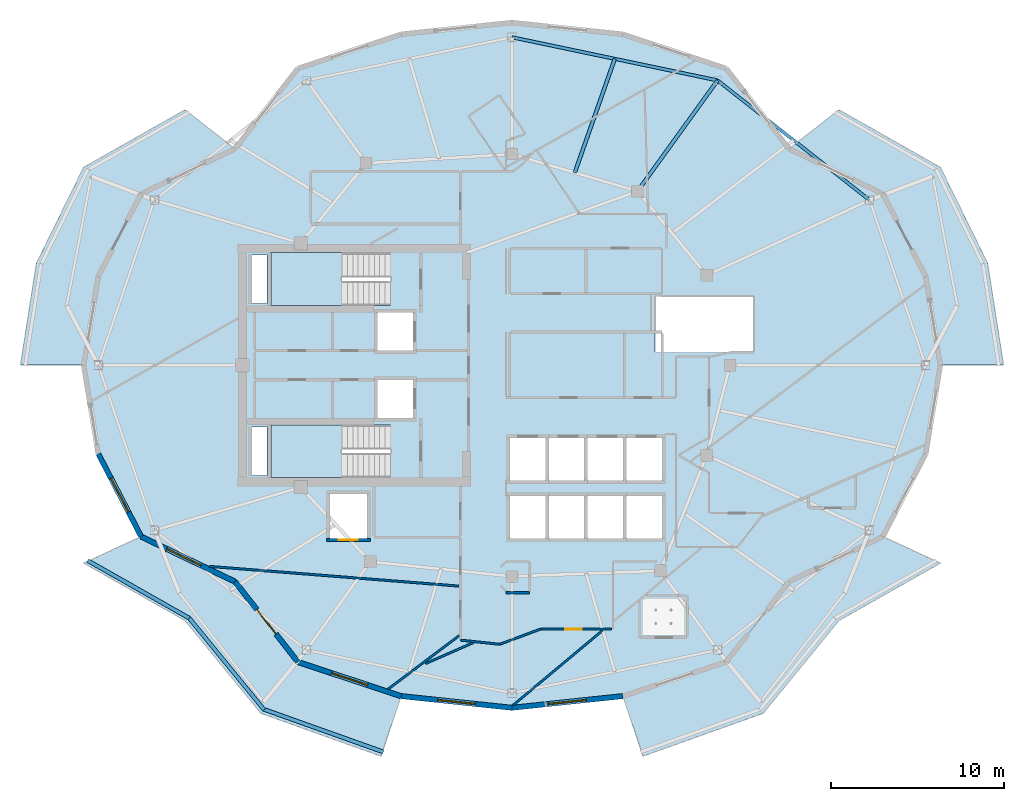
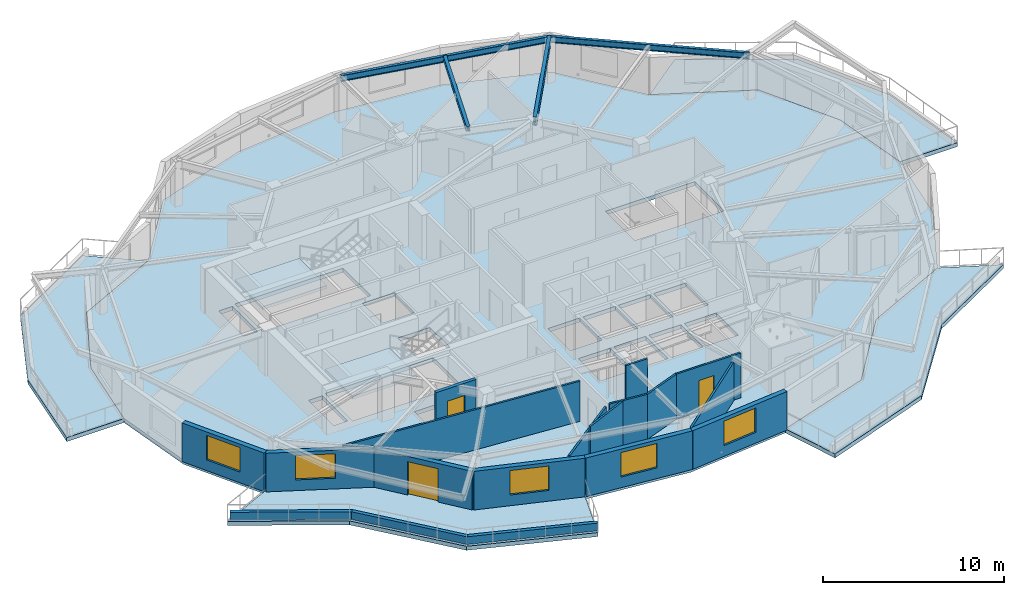
# One storey, part 2 of 13: 18 walls, 7 slabs, 5 windows, 4 beams, 3 doors, 8 openings, 2 elements without a shape of their own.
"""IFC4 building model written with IfcOpenShell, lengths in metres."""

from ifc_helpers import new_model, si_unit, direction, frame, frame_2d, origin, origin_2d, place, context, subcontext, project, spatial, polyline, rectangle, i_section, outline, extrude, material, layer, layer_set, material_profile, profile_set, type_object, element, fill, aggregate, save


model = new_model("IFC4")

# Units and contexts
model_context = context("Model", 3, precision=1e-05, world=origin(), true_north=direction((0.0, 1.0)))
body_context = subcontext(model_context, "Body", "Model", "MODEL_VIEW")
ifc_project = project(units=[si_unit("LENGTHUNIT", "METRE"), si_unit("AREAUNIT", "SQUARE_METRE"), si_unit("VOLUMEUNIT", "CUBIC_METRE"), si_unit("PLANEANGLEUNIT", "RADIAN"), si_unit("MASSUNIT", "GRAM", prefix="KILO")], contexts=[model_context])

# Site, building, storey
site_placement = place(None, origin())
site = spatial("IfcSite", under=ifc_project, at=site_placement, CompositionType="ELEMENT")
building_placement = place(site_placement, origin())
building = spatial("IfcBuilding", under=site, at=building_placement, Name="Kolvaren Gate Tower and Convention Centre", CompositionType="ELEMENT")
storey_placement = place(building_placement, frame((0.0, 0.0, 196.39990234375)))
storey = spatial("IfcBuildingStorey", under=building, at=storey_placement, Name="L51", CompositionType="ELEMENT", Elevation=196.39990234375)

# Beams
ifc_material_1 = material(Name="Structural steel ASTM A992 Grade 345 MPa", Category="steel")
ifc_material_profile_1 = material_profile(ifc_material_1, i_section(OverallWidth=0.2119140625, OverallDepth=0.5439453125, WebThickness=0.01318359375, FlangeThickness=0.021240234375, at=origin_2d()), Name="W530X123")
ifc_profile_set_1 = profile_set([ifc_material_profile_1], Name="Structural steel ASTM A992 Grade 345 MPa")
beam_type_1 = type_object("IfcBeamType", Name="STR-BM-W530X123", PredefinedType="BEAM", material=ifc_profile_set_1)
beam_1_placement = place(storey_placement, frame((37.381591796875, 37.054931640625, 2.758056640625), z_axis=(0.585211694794, 0.810880553643, 0.0), x_axis=(-0.810880553643, 0.585211694794, 0.0)))
element("IfcBeam", 1, at=beam_1_placement, inside=storey, type_object=beam_type_1, Name="Tower L51 Radial Floor Girder RB-03", PredefinedType="BEAM", context=body_context, shape_type="SweptSolid", body=[
    extrude(i_section(OverallWidth=0.2119140625, OverallDepth=0.5439453125, WebThickness=0.01318359375, FlangeThickness=0.021240234375, at=origin_2d()), origin(), (0.0, 0.0, 1.0), 7.896484375),
])
ifc_material_profile_2 = material_profile(ifc_material_1, i_section(OverallWidth=0.205078125, OverallDepth=0.31005859375, WebThickness=0.009521484375, FlangeThickness=0.016357421875, at=origin_2d()), Name="W310X74")
ifc_profile_set_2 = profile_set([ifc_material_profile_2], Name="Structural steel ASTM A992 Grade 345 MPa")
beam_type_2 = type_object("IfcBeamType", Name="STR-JS-W310X74", PredefinedType="JOIST", material=ifc_profile_set_2)
beam_2_placement = place(storey_placement, frame((33.75341796875, 38.12744140625, 2.875), z_axis=(0.331432911821, 0.943478788824, 0.0), x_axis=(-0.943478788824, 0.331432911821, 0.0)))
element("IfcBeam", 2, at=beam_2_placement, inside=storey, type_object=beam_type_2, Name="Tower L51 Secondary Composite Floor Joist J-03.1", PredefinedType="JOIST", context=body_context, shape_type="SweptSolid", body=[
    extrude(i_section(OverallWidth=0.205078125, OverallDepth=0.31005859375, WebThickness=0.009521484375, FlangeThickness=0.016357421875, at=origin_2d()), origin(), (0.0, 0.0, 1.0), 6.970703125),
])
ifc_material_profile_3 = material_profile(ifc_material_1, i_section(OverallWidth=0.180908203125, OverallDepth=0.4169921875, WebThickness=0.010986328125, FlangeThickness=0.018310546875, at=origin_2d()), Name="W410X85")
ifc_profile_set_3 = profile_set([ifc_material_profile_3], Name="Structural steel ASTM A992 Grade 345 MPa")
beam_type_3 = type_object("IfcBeamType", Name="STR-SP-W410X85", PredefinedType="SPANDREL", material=ifc_profile_set_3)
beam_3_placement = place(storey_placement, frame((50.787353515625, 36.543701171875, 2.821533203125), z_axis=(-0.78579365551, 0.618488747643, 0.0), x_axis=(-0.618488747643, -0.78579365551, 0.0)))
element("IfcBeam", 3, at=beam_3_placement, inside=storey, type_object=beam_type_3, Name="Tower L51 Perimeter Spandrel Beam SP-02", PredefinedType="SPANDREL", context=body_context, shape_type="SweptSolid", body=[
    extrude(i_section(OverallWidth=0.180908203125, OverallDepth=0.4169921875, WebThickness=0.010986328125, FlangeThickness=0.018310546875, at=origin_2d()), origin(), (0.0, 0.0, 1.0), 11.179443359375),
])
beam_4_placement = place(storey_placement, frame((42.002685546875, 43.4580078125, 2.821533203125), z_axis=(-0.978692765917, 0.205330148645, 0.0), x_axis=(-0.205330148645, -0.978692765917, 0.0)))
element("IfcBeam", 4, at=beam_4_placement, inside=storey, type_object=beam_type_3, Name="Tower L51 Perimeter Spandrel Beam SP-03", PredefinedType="SPANDREL", context=body_context, shape_type="SweptSolid", body=[
    extrude(i_section(OverallWidth=0.180908203125, OverallDepth=0.4169921875, WebThickness=0.010986328125, FlangeThickness=0.018310546875, at=origin_2d()), origin(), (0.0, 0.0, 1.0), 12.13623046875),
])

# Slabs
ifc_material_2 = material(Name="Concrete C50/60", Category="concrete")
ifc_layer_1 = layer(ifc_material_2, 0.27001953125)
ifc_layer_set_1 = layer_set([ifc_layer_1], Name="Concrete C50/60")
slab_type_1 = type_object("IfcSlabType", Name="STR-SL-BALC-270", PredefinedType="FLOOR", material=ifc_layer_set_1)
slab_1_placement = place(storey_placement, frame((0.0, 0.0, -0.27001953125)))
element("IfcSlab", 5, at=slab_1_placement, inside=storey, type_object=slab_type_1, Name="Tower L51 Planted Balcony Terrace Slab 1 (East)", PredefinedType="FLOOR", context=body_context, shape_type="SweptSolid", body=[
    extrude(outline(polyline([(54.875, 27.0), (54.03173828125, 32.12451171875), (51.55908203125, 36.89990234375), (46.132568359375, 39.50732421875), (49.0166015625, 41.7607421875), (54.8818359375, 38.434814453125), (57.6103515625, 32.8916015625), (58.534912109375, 27.0), (54.875, 27.0)])), origin(), (0.0, 0.0, 1.0), 0.27001953125),
])
slab_2_placement = place(storey_placement, frame((0.0, 0.0, -0.27001953125)))
element("IfcSlab", 6, at=slab_2_placement, inside=storey, type_object=slab_type_1, Name="Tower L51 Planted Balcony Terrace Slab 2 (West)", PredefinedType="FLOOR", context=body_context, shape_type="SweptSolid", body=[
    extrude(outline(polyline([(14.117431640625, 39.50732421875), (8.69091796875, 36.89990234375), (6.21826171875, 32.12451171875), (5.375, 27.0), (1.715087890625, 27.0), (2.6396484375, 32.8916015625), (5.3681640625, 38.434814453125), (11.2333984375, 41.7607421875), (14.117431640625, 39.50732421875)])), origin(), (0.0, 0.0, 1.0), 0.27001953125),
])
slab_3_placement = place(storey_placement, frame((0.0, 0.0, -0.27001953125)))
element("IfcSlab", 7, at=slab_3_placement, inside=storey, type_object=slab_type_1, Name="Tower L51 Planted Balcony Terrace Slab 3 (South)", PredefinedType="FLOOR", context=body_context, shape_type="SweptSolid", body=[
    extrude(outline(polyline([(8.69091796875, 17.10009765625), (14.117431640625, 14.49267578125), (17.75, 9.852783203125), (23.71923828125, 7.874755859375), (22.556884765625, 4.404296875), (15.608154296875, 6.885009765625), (11.2333984375, 12.2392578125), (5.3681640625, 15.565185546875), (8.69091796875, 17.10009765625)])), origin(), (0.0, 0.0, 1.0), 0.27001953125),
])
slab_4_placement = place(storey_placement, frame((0.0, 0.0, -0.27001953125)))
element("IfcSlab", 8, at=slab_4_placement, inside=storey, type_object=slab_type_1, Name="Tower L51 Planted Balcony Terrace Slab 4 (South)", PredefinedType="FLOOR", context=body_context, shape_type="SweptSolid", body=[
    extrude(outline(polyline([(36.53076171875, 7.874755859375), (42.5, 9.852783203125), (46.132568359375, 14.49267578125), (51.55908203125, 17.10009765625), (54.8818359375, 15.565185546875), (49.0166015625, 12.2392578125), (44.641845703125, 6.885009765625), (37.693115234375, 4.404296875), (36.53076171875, 7.874755859375)])), origin(), (0.0, 0.0, 1.0), 0.27001953125),
])
ifc_material_3 = material(Name="Concrete C40/50", Category="concrete")
ifc_layer_2 = layer(ifc_material_3, 0.27001953125)
ifc_layer_set_2 = layer_set([ifc_layer_2], Name="Concrete C40/50")
slab_type_2 = type_object("IfcSlabType", Name="STR-SL-FLR-270", PredefinedType="FLOOR", material=ifc_layer_set_2)
slab_5_placement = place(storey_placement, frame((0.0, 0.0, -0.27001953125)))
element("IfcSlab", 9, at=slab_5_placement, inside=storey, type_object=slab_type_2, Name="Tower L51 Structural Floor Slab", PredefinedType="FLOOR", context=body_context, shape_type="SweptSolid", body=[
    extrude(outline(polyline([(54.875, 27.0), (54.03173828125, 32.12451171875), (51.55908203125, 36.89990234375), (46.132568359375, 39.50732421875), (42.5, 44.147216796875), (36.53076171875, 46.125244140625), (30.125, 46.800048828125), (23.71923828125, 46.125244140625), (17.75, 44.147216796875), (14.117431640625, 39.50732421875), (8.69091796875, 36.89990234375), (6.21826171875, 32.12451171875), (5.375, 27.0), (6.21826171875, 21.87548828125), (8.69091796875, 17.10009765625), (14.117431640625, 14.49267578125), (17.75, 9.852783203125), (23.71923828125, 7.874755859375), (30.125, 7.199951171875), (36.53076171875, 7.874755859375), (42.5, 9.852783203125), (46.132568359375, 14.49267578125), (51.55908203125, 17.10009765625), (54.03173828125, 21.87548828125), (54.875, 27.0)]), holes=[polyline([(38.39990234375, 27.75), (38.39990234375, 31.0), (44.10009765625, 31.0), (44.10009765625, 27.75), (38.39990234375, 27.75)]), polyline([(36.75, 17.0), (36.75, 19.449951171875), (38.800048828125, 19.449951171875), (38.800048828125, 17.0), (36.75, 17.0)]), polyline([(36.75, 20.35009765625), (36.75, 22.800048828125), (38.800048828125, 22.800048828125), (38.800048828125, 20.35009765625), (36.75, 20.35009765625)]), polyline([(34.5, 17.0), (34.5, 19.449951171875), (36.550048828125, 19.449951171875), (36.550048828125, 17.0), (34.5, 17.0)]), polyline([(34.5, 20.35009765625), (34.5, 22.800048828125), (36.550048828125, 22.800048828125), (36.550048828125, 20.35009765625), (34.5, 20.35009765625)]), polyline([(32.25, 17.0), (32.25, 19.449951171875), (34.300048828125, 19.449951171875), (34.300048828125, 17.0), (32.25, 17.0)]), polyline([(32.25, 20.35009765625), (32.25, 22.800048828125), (34.300048828125, 22.800048828125), (34.300048828125, 20.35009765625), (32.25, 20.35009765625)]), polyline([(30.0, 17.0), (30.0, 19.449951171875), (32.050048828125, 19.449951171875), (32.050048828125, 17.0), (30.0, 17.0)]), polyline([(30.0, 20.35009765625), (30.0, 22.800048828125), (32.050048828125, 22.800048828125), (32.050048828125, 20.35009765625), (30.0, 20.35009765625)]), polyline([(22.35009765625, 23.9599609375), (22.35009765625, 26.159912109375), (24.39990234375, 26.159912109375), (24.39990234375, 23.9599609375), (22.35009765625, 23.9599609375)]), polyline([(22.35009765625, 27.840087890625), (22.35009765625, 30.0400390625), (24.39990234375, 30.0400390625), (24.39990234375, 27.840087890625), (22.35009765625, 27.840087890625)]), polyline([(23.10009765625, 23.5400390625), (23.10009765625, 20.5), (16.199951171875, 20.5), (16.199951171875, 23.5400390625), (23.10009765625, 23.5400390625)]), polyline([(23.10009765625, 33.5), (23.10009765625, 30.4599609375), (16.199951171875, 30.4599609375), (16.199951171875, 33.5), (23.10009765625, 33.5)]), polyline([(19.60009765625, 17.0), (19.60009765625, 19.550048828125), (21.75, 19.550048828125), (21.75, 17.0), (19.60009765625, 17.0)]), polyline([(15.080078125, 20.6298828125), (15.080078125, 23.419921875), (15.969970703125, 23.419921875), (15.969970703125, 20.6298828125), (15.080078125, 20.6298828125)]), polyline([(15.080078125, 30.580078125), (15.080078125, 33.3701171875), (15.969970703125, 33.3701171875), (15.969970703125, 30.580078125), (15.080078125, 30.580078125)])]), origin(), (0.0, 0.0, 1.0), 0.27001953125),
])

# Stair, slab
stair_type = type_object("IfcStairType", Name="STR-STAIR-CORE", PredefinedType="HALF_TURN_STAIR", material=ifc_material_2)
stair_1_placement = place(storey_placement, origin())
stair_1 = element("IfcStair", 10, at=stair_1_placement, inside=storey, type_object=stair_type, Name="L51 Tower North Exit Stair ST-T1", PredefinedType="HALF_TURN_STAIR")
ifc_layer_3 = layer(ifc_material_2, 0.199951171875)
ifc_layer_set_3 = layer_set([ifc_layer_3], Name="Concrete C50/60")
slab_type_3 = type_object("IfcSlabType", Name="STR-SL-LAND-200", PredefinedType="LANDING", material=ifc_layer_set_3)
slab_6_placement = place(storey_placement, frame((0.0, 0.0, 1.4501953125)))
slab_6 = element("IfcSlab", 11, at=slab_6_placement, type_object=slab_type_3, Name="ST-T1 landing 1", PredefinedType="LANDING", context=body_context, shape_type="SweptSolid", body=[
    extrude(outline(polyline([(20.31005859375, 33.5), (16.199951171875, 33.5), (16.199951171875, 30.4599609375), (20.31005859375, 30.4599609375), (20.31005859375, 33.5)])), origin(), (0.0, 0.0, 1.0), 0.199951171875),
])
aggregate(stair_1, [slab_6])

stair_2_placement = place(storey_placement, origin())
stair_2 = element("IfcStair", 12, at=stair_2_placement, inside=storey, type_object=stair_type, Name="L51 Tower South Exit Stair ST-T2", PredefinedType="HALF_TURN_STAIR")
slab_7_placement = place(storey_placement, frame((0.0, 0.0, 1.4501953125)))
slab_7 = element("IfcSlab", 13, at=slab_7_placement, type_object=slab_type_3, Name="ST-T2 landing 1", PredefinedType="LANDING", context=body_context, shape_type="SweptSolid", body=[
    extrude(outline(polyline([(20.31005859375, 23.5400390625), (16.199951171875, 23.5400390625), (16.199951171875, 20.5), (20.31005859375, 20.5), (20.31005859375, 23.5400390625)])), origin(), (0.0, 0.0, 1.0), 0.199951171875),
])
aggregate(stair_2, [slab_7])

# Wall, opening, door
ifc_material_4 = material(Name="Fire-Rated Acoustic Gypsum Stud Partition", Category="gypsum")
ifc_layer_4 = layer(ifc_material_4, 0.1201171875)
ifc_layer_set_4 = layer_set([ifc_layer_4], Name="Fire-Rated Acoustic Gypsum Stud Partition")
wall_type_1 = type_object("IfcWallType", Name="ARCH-WL-PART-120", PredefinedType="PARTITIONING", material=ifc_layer_set_4)
wall_1_placement = place(storey_placement, frame((31.76611328125, 11.75, 0.0), z_axis=(0.0, 0.0, 1.0), x_axis=(1.0, 0.0, 0.0)))
wall_1 = element("IfcWall", 14, at=wall_1_placement, inside=storey, type_object=wall_type_1, Name="Interior Partition WL-L51-INT-057", PredefinedType="PARTITIONING", context=body_context, shape_type="SweptSolid", body=[
    extrude(rectangle(XDim=4.121826171875, YDim=0.1201171875, at=frame_2d((2.06103515625, 0.0))), origin(), (0.0, 0.0, 1.0), 3.030029296875),
])
opening_1_placement = place(wall_1_placement, frame((1.446044921875, 0.0, 0.0)))
opening_1 = element("IfcOpeningElement", 15, at=opening_1_placement, cuts=wall_1, Name="Opening DR-01", PredefinedType="OPENING", context=body_context, shape_type="SweptSolid", body=[
    extrude(rectangle(XDim=0.949951171875, YDim=2.10009765625, at=frame_2d((0.47509765625, 1.050048828125))), frame((0.0, 0.070068359375, 0.0), z_axis=(0.0, -1.0, 0.0), x_axis=(1.0, 0.0, 0.0)), (0.0, 0.0, 1.0), 0.14013671875),
])
ifc_material_5 = material(Name="Painted Architectural Steelwork ASTM A500 Grade C 345 MPa", Category="steel")
door_type_1 = type_object("IfcDoorType", Name="ARCH-DR-RISER-950", OperationType="SINGLE_SWING_RIGHT", PredefinedType="DOOR", material=ifc_material_5)
door_1_placement = place(opening_1_placement, origin())
door_1 = element("IfcDoor", 16, at=door_1_placement, inside=storey, type_object=door_type_1, Name="Resident Private Workroom Door", OperationType="SINGLE_SWING_RIGHT", OverallHeight=2.10009765625, OverallWidth=0.949951171875, PredefinedType="DOOR", context=body_context, shape_type="SweptSolid", body=[
    extrude(rectangle(XDim=0.949951171875, YDim=2.10009765625, at=frame_2d((0.47509765625, 1.050048828125))), frame((0.0, 0.02490234375, 0.0), z_axis=(0.0, -1.0, 0.0), x_axis=(1.0, 0.0, 0.0)), (0.0, 0.0, 1.0), 0.050048828125),
])
fill(opening_1, door_1)

# Walls
wall_2_placement = place(storey_placement, frame((29.41796875, 10.8740234375, 0.0), z_axis=(0.0, 0.0, 1.0), x_axis=(0.93692830581, 0.349521601294, 0.0)))
element("IfcWall", 17, at=wall_2_placement, inside=storey, type_object=wall_type_1, Name="Interior Partition WL-L51-INT-058", PredefinedType="PARTITIONING", context=body_context, shape_type="SweptSolid", body=[
    extrude(rectangle(XDim=2.506103515625, YDim=0.1201171875, at=frame_2d((1.2529296875, 0.0))), origin(), (0.0, 0.0, 1.0), 3.030029296875),
])
wall_3_placement = place(storey_placement, frame((27.14990234375, 11.113037109375, 0.0), z_axis=(0.0, 0.0, 1.0), x_axis=(0.994493127971, -0.104801805413, 0.0)))
element("IfcWall", 18, at=wall_3_placement, inside=storey, type_object=wall_type_1, Name="Interior Partition WL-L51-INT-059", PredefinedType="PARTITIONING", context=body_context, shape_type="SweptSolid", body=[
    extrude(rectangle(XDim=2.280517578125, YDim=0.1201171875, at=frame_2d((1.14013671875, 0.0))), origin(), (0.0, 0.0, 1.0), 3.030029296875),
])
wall_4_placement = place(storey_placement, frame((29.780029296875, 13.85009765625, 0.0), z_axis=(0.0, 0.0, 1.0), x_axis=(1.0, 0.0, 0.0)))
element("IfcWall", 19, at=wall_4_placement, inside=storey, type_object=wall_type_1, Name="Interior Partition WL-L51-INT-062", PredefinedType="PARTITIONING", context=body_context, shape_type="SweptSolid", body=[
    extrude(rectangle(XDim=1.369873046875, YDim=0.1201171875, at=frame_2d((0.68505859375, 0.0))), origin(), (0.0, 0.0, 1.0), 3.030029296875),
])
wall_5_placement = place(storey_placement, frame((12.631591796875, 15.375244140625, 0.0), z_axis=(0.0, 0.0, 1.0), x_axis=(0.996898009465, -0.078704248448, 0.0)))
element("IfcWall", 20, at=wall_5_placement, inside=storey, type_object=wall_type_1, Name="Interior Partition WL-L51-INT-067", PredefinedType="PARTITIONING", context=body_context, shape_type="SweptSolid", body=[
    extrude(rectangle(XDim=14.486328125, YDim=0.1201171875, at=frame_2d((7.2431640625, 0.0))), origin(), (0.0, 0.0, 1.0), 2.712158203125),
])
wall_6_placement = place(storey_placement, frame((22.968017578125, 8.28369140625, 0.0), z_axis=(0.0, 0.0, 1.0), x_axis=(0.798824033637, 0.601564762336, 0.0)))
element("IfcWall", 21, at=wall_6_placement, inside=storey, type_object=wall_type_1, Name="Interior Partition WL-L51-INT-068", PredefinedType="PARTITIONING", context=body_context, shape_type="SweptSolid", body=[
    extrude(rectangle(XDim=5.138671875, YDim=0.1201171875, at=frame_2d((2.5693359375, 0.0))), origin(), (0.0, 0.0, 1.0), 2.712158203125),
])
wall_7_placement = place(storey_placement, frame((25.130859375, 9.759765625, 0.0), z_axis=(0.0, 0.0, 1.0), x_axis=(0.916101713444, 0.400945944766, 0.0)))
element("IfcWall", 22, at=wall_7_placement, inside=storey, type_object=wall_type_1, Name="Interior Partition WL-L51-INT-070", PredefinedType="PARTITIONING", context=body_context, shape_type="SweptSolid", body=[
    extrude(rectangle(XDim=3.022705078125, YDim=0.1201171875, at=frame_2d((1.51123046875, 0.0))), origin(), (0.0, 0.0, 1.0), 3.030029296875),
])
wall_8_placement = place(storey_placement, frame((30.1943359375, 7.360107421875, 0.0), z_axis=(0.0, 0.0, 1.0), x_axis=(0.767488623439, 0.641062565505, 0.0)))
element("IfcWall", 23, at=wall_8_placement, inside=storey, type_object=wall_type_1, Name="Interior Partition WL-L51-INT-072", PredefinedType="PARTITIONING", context=body_context, shape_type="SweptSolid", body=[
    extrude(rectangle(XDim=6.751220703125, YDim=0.1201171875, at=frame_2d((3.37548828125, 0.0))), origin(), (0.0, 0.0, 1.0), 2.60498046875),
])
ifc_material_6 = material(Name="Piedmont Cream Honed Limestone Cladding", Category="masonry")
ifc_layer_5 = layer(ifc_material_6, 0.219970703125)
ifc_layer_set_5 = layer_set([ifc_layer_5], Name="Piedmont Cream Honed Limestone Cladding")
wall_type_2 = type_object("IfcWallType", Name="ARCH-WL-PLANTER-220", PredefinedType="PARAPET", material=ifc_layer_set_5)
wall_9_placement = place(storey_placement, frame((5.6083984375, 15.70947265625, 0.0), z_axis=(0.0, 0.0, 1.0), x_axis=(0.869860619267, -0.493297580623, 0.0)))
element("IfcWall", 24, at=wall_9_placement, inside=storey, type_object=wall_type_2, Name="Vertical-Forest Balcony Stone Planter Kerb PK-L51-3.1", PredefinedType="PARAPET", context=body_context, shape_type="SweptSolid", body=[
    extrude(rectangle(XDim=6.74267578125, YDim=0.219970703125, at=frame_2d((3.371337890625, 0.0))), origin(), (0.0, 0.0, 1.0), 0.52001953125),
])
wall_10_placement = place(storey_placement, frame((11.42724609375, 12.44140625, 0.0), z_axis=(0.0, 0.0, 1.0), x_axis=(0.632697312147, -0.774399193699, 0.0)))
element("IfcWall", 25, at=wall_10_placement, inside=storey, type_object=wall_type_2, Name="Vertical-Forest Balcony Stone Planter Kerb PK-L51-3.2", PredefinedType="PARAPET", context=body_context, shape_type="SweptSolid", body=[
    extrude(rectangle(XDim=6.9140625, YDim=0.219970703125, at=frame_2d((3.45703125, 0.0))), origin(), (0.0, 0.0, 1.0), 0.52001953125),
])
wall_11_placement = place(storey_placement, frame((15.73681640625, 7.133544921875, 0.0), z_axis=(0.0, 0.0, 1.0), x_axis=(0.941780086523, -0.336229488042, 0.0)))
element("IfcWall", 26, at=wall_11_placement, inside=storey, type_object=wall_type_2, Name="Vertical-Forest Balcony Stone Planter Kerb PK-L51-3.3", PredefinedType="PARAPET", context=body_context, shape_type="SweptSolid", body=[
    extrude(rectangle(XDim=7.3779296875, YDim=0.219970703125, at=frame_2d((3.68896484375, 0.0))), origin(), (0.0, 0.0, 1.0), 0.52001953125),
])

# Wall, opening, door
ifc_material_7 = material(Name="Autoclaved Aerated Masonry Blockwork Class 4 (4.0 MPa)", Category="masonry")
ifc_layer_6 = layer(ifc_material_7, 0.199951171875)
ifc_layer_set_6 = layer_set([ifc_layer_6], Name="Autoclaved Aerated Masonry Blockwork Class 4 (4.0 MPa)")
wall_type_3 = type_object("IfcWallType", Name="ARCH-WL-SHAFT-200", PredefinedType="SOLIDWALL", material=ifc_layer_set_6)
wall_12_placement = place(storey_placement, frame((19.39990234375, 16.89990234375, 0.0), z_axis=(0.0, 0.0, 1.0), x_axis=(1.0, 0.0, 0.0)))
wall_12 = element("IfcWall", 27, at=wall_12_placement, inside=storey, type_object=wall_type_3, Name="Elevator SV-01 L51 Fire Shaft Wall S", PredefinedType="SOLIDWALL", context=body_context, shape_type="SweptSolid", body=[
    extrude(rectangle(XDim=2.550048828125, YDim=0.199951171875, at=frame_2d((1.27490234375, 0.0))), origin(), (0.0, 0.0, 1.0), 3.030029296875),
])
opening_2_placement = place(wall_12_placement, frame((0.72509765625, 0.0, 0.0)))
opening_2 = element("IfcOpeningElement", 28, at=opening_2_placement, cuts=wall_12, Name="Opening LD", PredefinedType="OPENING", context=body_context, shape_type="SweptSolid", body=[
    extrude(rectangle(XDim=1.10009765625, YDim=2.199951171875, at=frame_2d((0.550048828125, 1.10009765625))), frame((0.0, 0.10986328125, 0.0), z_axis=(0.0, -1.0, 0.0), x_axis=(1.0, 0.0, 0.0)), (0.0, 0.0, 1.0), 0.219970703125),
])
ifc_material_8 = material(Name="Brushed Stainless Steel Grade 316L", Category="steel")
door_type_2 = type_object("IfcDoorType", Name="ARCH-DR-LIFT-1100", OperationType="SLIDING_TO_LEFT", PredefinedType="DOOR", material=ifc_material_8)
door_2_placement = place(opening_2_placement, origin())
door_2 = element("IfcDoor", 29, at=door_2_placement, inside=storey, type_object=door_type_2, Name="Elevator SV-01 L51 Sliding Landing Door", OperationType="SLIDING_TO_LEFT", OverallHeight=2.199951171875, OverallWidth=1.10009765625, PredefinedType="DOOR", context=body_context, shape_type="SweptSolid", body=[
    extrude(rectangle(XDim=1.10009765625, YDim=2.199951171875, at=frame_2d((0.550048828125, 1.10009765625))), frame((0.0, 0.02490234375, 0.0), z_axis=(0.0, -1.0, 0.0), x_axis=(1.0, 0.0, 0.0)), (0.0, 0.0, 1.0), 0.050048828125),
])
fill(opening_2, door_2)

# Wall, opening, window
ifc_layer_7 = layer(ifc_material_6, 0.300048828125)
ifc_layer_set_7 = layer_set([ifc_layer_7], Name="Piedmont Cream Honed Limestone Cladding")
wall_type_4 = type_object("IfcWallType", Name="ARCH-WL-STONE-300", PredefinedType="SOLIDWALL", material=ifc_layer_set_7)
wall_13_placement = place(storey_placement, frame((6.21826171875, 21.87548828125, 0.0), z_axis=(0.0, 0.0, 1.0), x_axis=(0.459808219482, -0.888018243786, 0.0)))
wall_13 = element("IfcWall", 30, at=wall_13_placement, inside=storey, type_object=wall_type_4, Name="Tower L51 Honed Stone Spandrel Wall EW-13", PredefinedType="SOLIDWALL", context=body_context, shape_type="SweptSolid", body=[
    extrude(rectangle(XDim=5.377685546875, YDim=0.300048828125, at=frame_2d((2.68896484375, 0.0))), origin(), (0.0, 0.0, 1.0), 2.60498046875),
])
opening_3_placement = place(wall_13_placement, frame((1.589111328125, 0.0, 0.719970703125)))
opening_3 = element("IfcOpeningElement", 31, at=opening_3_placement, cuts=wall_13, Name="Opening W-03", PredefinedType="OPENING", context=body_context, shape_type="SweptSolid", body=[
    extrude(rectangle(XDim=2.199951171875, YDim=1.64990234375, at=frame_2d((1.10009765625, 0.824951171875))), frame((0.0, 0.159912109375, 0.0), z_axis=(0.0, -1.0, 0.0), x_axis=(1.0, 0.0, 0.0)), (0.0, 0.0, 1.0), 0.320068359375),
])
ifc_material_9 = material(Name="Low-E Triple Insulated Glazing Unit 44 mm", Category="glass")
window_type = type_object("IfcWindowType", Name="ARCH-WN-RES-2200", PartitioningType="SINGLE_PANEL", PredefinedType="WINDOW", material=ifc_material_9)
window_1_placement = place(opening_3_placement, origin())
window_1 = element("IfcWindow", 32, at=window_1_placement, inside=storey, type_object=window_type, Name="Tower L51 Punched Stone Facade Window W-13", OverallHeight=1.64990234375, OverallWidth=2.199951171875, PartitioningType="SINGLE_PANEL", PredefinedType="WINDOW", context=body_context, shape_type="SweptSolid", body=[
    extrude(rectangle(XDim=2.199951171875, YDim=1.64990234375, at=frame_2d((1.10009765625, 0.824951171875))), frame((0.0, 0.030029296875, 0.0), z_axis=(0.0, -1.0, 0.0), x_axis=(1.0, 0.0, 0.0)), (0.0, 0.0, 1.0), 0.06005859375),
])
fill(opening_3, window_1)

wall_14_placement = place(storey_placement, frame((8.69091796875, 17.10009765625, 0.0), z_axis=(0.0, 0.0, 1.0), x_axis=(0.901348331142, -0.433094892545, 0.0)))
wall_14 = element("IfcWall", 33, at=wall_14_placement, inside=storey, type_object=wall_type_4, Name="Tower L51 Honed Stone Spandrel Wall EW-14", PredefinedType="SOLIDWALL", context=body_context, shape_type="SweptSolid", body=[
    extrude(rectangle(XDim=6.0205078125, YDim=0.300048828125, at=frame_2d((3.01025390625, 0.0))), origin(), (0.0, 0.0, 1.0), 2.60498046875),
])
opening_4_placement = place(wall_14_placement, frame((1.64990234375, 0.0, 0.719970703125)))
opening_4 = element("IfcOpeningElement", 34, at=opening_4_placement, cuts=wall_14, Name="Opening W-03", PredefinedType="OPENING", context=body_context, shape_type="SweptSolid", body=[
    extrude(rectangle(XDim=2.199951171875, YDim=1.64990234375, at=frame_2d((1.10009765625, 0.824951171875))), frame((0.0, 0.159912109375, 0.0), z_axis=(0.0, -1.0, 0.0), x_axis=(1.0, 0.0, 0.0)), (0.0, 0.0, 1.0), 0.320068359375),
])
window_2_placement = place(opening_4_placement, origin())
window_2 = element("IfcWindow", 35, at=window_2_placement, inside=storey, type_object=window_type, Name="Tower L51 Punched Stone Facade Window W-14", OverallHeight=1.64990234375, OverallWidth=2.199951171875, PartitioningType="SINGLE_PANEL", PredefinedType="WINDOW", context=body_context, shape_type="SweptSolid", body=[
    extrude(rectangle(XDim=2.199951171875, YDim=1.64990234375, at=frame_2d((1.10009765625, 0.824951171875))), frame((0.0, 0.030029296875, 0.0), z_axis=(0.0, -1.0, 0.0), x_axis=(1.0, 0.0, 0.0)), (0.0, 0.0, 1.0), 0.06005859375),
])
fill(opening_4, window_2)

# Wall, opening, door
wall_15_placement = place(storey_placement, frame((14.117431640625, 14.49267578125, 0.0), z_axis=(0.0, 0.0, 1.0), x_axis=(0.616450126935, -0.787393955401, 0.0)))
wall_15 = element("IfcWall", 36, at=wall_15_placement, inside=storey, type_object=wall_type_4, Name="Tower L51 Honed Stone Spandrel Wall EW-15", PredefinedType="SOLIDWALL", context=body_context, shape_type="SweptSolid", body=[
    extrude(rectangle(XDim=5.892822265625, YDim=0.300048828125, at=frame_2d((2.9462890625, 0.0))), origin(), (0.0, 0.0, 1.0), 2.60498046875),
])
opening_5_placement = place(wall_15_placement, frame((2.0458984375, 0.0, 0.0)))
opening_5 = element("IfcOpeningElement", 37, at=opening_5_placement, cuts=wall_15, Name="Opening DB-01", PredefinedType="OPENING", context=body_context, shape_type="SweptSolid", body=[
    extrude(rectangle(XDim=1.800048828125, YDim=2.25, at=frame_2d((0.89990234375, 1.125))), frame((0.0, 0.159912109375, 0.0), z_axis=(0.0, -1.0, 0.0), x_axis=(1.0, 0.0, 0.0)), (0.0, 0.0, 1.0), 0.320068359375),
])
ifc_material_10 = material(Name="Anodized Architectural Aluminium Alloy 6063-T6", Category="aluminium")
door_type_3 = type_object("IfcDoorType", Name="ARCH-DR-BALC-1800", OperationType="SLIDING_TO_LEFT", PredefinedType="DOOR", material=ifc_material_10)
door_3_placement = place(opening_5_placement, frame((1.800048828125, 0.0, 0.0), z_axis=(0.0, 0.0, 1.0), x_axis=(-1.0, 0.0, 0.0)))
door_3 = element("IfcDoor", 38, at=door_3_placement, inside=storey, type_object=door_type_3, Name="Planted Sky Terrace Access Door DB-L51-15", OperationType="SLIDING_TO_LEFT", OverallHeight=2.25, OverallWidth=1.800048828125, PredefinedType="DOOR", context=body_context, shape_type="SweptSolid", body=[
    extrude(rectangle(XDim=1.800048828125, YDim=2.25, at=frame_2d((0.89990234375, 1.125))), frame((0.0, 0.02490234375, 0.0), z_axis=(0.0, -1.0, 0.0), x_axis=(1.0, 0.0, 0.0)), (0.0, 0.0, 1.0), 0.050048828125),
])
fill(opening_5, door_3)

# Wall, opening, window
wall_16_placement = place(storey_placement, frame((17.75, 9.852783203125, 0.0), z_axis=(0.0, 0.0, 1.0), x_axis=(0.949240877604, -0.314550085495, 0.0)))
wall_16 = element("IfcWall", 39, at=wall_16_placement, inside=storey, type_object=wall_type_4, Name="Tower L51 Honed Stone Spandrel Wall EW-16", PredefinedType="SOLIDWALL", context=body_context, shape_type="SweptSolid", body=[
    extrude(rectangle(XDim=6.288330078125, YDim=0.300048828125, at=frame_2d((3.14404296875, 0.0))), origin(), (0.0, 0.0, 1.0), 2.60498046875),
])
opening_6_placement = place(wall_16_placement, frame((2.0439453125, 0.0, 0.719970703125)))
opening_6 = element("IfcOpeningElement", 40, at=opening_6_placement, cuts=wall_16, Name="Opening W-03", PredefinedType="OPENING", context=body_context, shape_type="SweptSolid", body=[
    extrude(rectangle(XDim=2.199951171875, YDim=1.64990234375, at=frame_2d((1.10009765625, 0.824951171875))), frame((0.0, 0.159912109375, 0.0), z_axis=(0.0, -1.0, 0.0), x_axis=(1.0, 0.0, 0.0)), (0.0, 0.0, 1.0), 0.320068359375),
])
window_3_placement = place(opening_6_placement, origin())
window_3 = element("IfcWindow", 41, at=window_3_placement, inside=storey, type_object=window_type, Name="Tower L51 Punched Stone Facade Window W-16", OverallHeight=1.64990234375, OverallWidth=2.199951171875, PartitioningType="SINGLE_PANEL", PredefinedType="WINDOW", context=body_context, shape_type="SweptSolid", body=[
    extrude(rectangle(XDim=2.199951171875, YDim=1.64990234375, at=frame_2d((1.10009765625, 0.824951171875))), frame((0.0, 0.030029296875, 0.0), z_axis=(0.0, -1.0, 0.0), x_axis=(1.0, 0.0, 0.0)), (0.0, 0.0, 1.0), 0.06005859375),
])
fill(opening_6, window_3)

wall_17_placement = place(storey_placement, frame((23.71923828125, 7.874755859375, 0.0), z_axis=(0.0, 0.0, 1.0), x_axis=(0.994497142298, -0.104763705363, 0.0)))
wall_17 = element("IfcWall", 42, at=wall_17_placement, inside=storey, type_object=wall_type_4, Name="Tower L51 Honed Stone Spandrel Wall EW-17", PredefinedType="SOLIDWALL", context=body_context, shape_type="SweptSolid", body=[
    extrude(rectangle(XDim=6.441162109375, YDim=0.300048828125, at=frame_2d((3.220703125, 0.0))), origin(), (0.0, 0.0, 1.0), 2.60498046875),
])
opening_7_placement = place(wall_17_placement, frame((2.12109375, 0.0, 0.719970703125)))
opening_7 = element("IfcOpeningElement", 43, at=opening_7_placement, cuts=wall_17, Name="Opening W-03", PredefinedType="OPENING", context=body_context, shape_type="SweptSolid", body=[
    extrude(rectangle(XDim=2.199951171875, YDim=1.64990234375, at=frame_2d((1.10009765625, 0.824951171875))), frame((0.0, 0.159912109375, 0.0), z_axis=(0.0, -1.0, 0.0), x_axis=(1.0, 0.0, 0.0)), (0.0, 0.0, 1.0), 0.320068359375),
])
window_4_placement = place(opening_7_placement, origin())
window_4 = element("IfcWindow", 44, at=window_4_placement, inside=storey, type_object=window_type, Name="Tower L51 Punched Stone Facade Window W-17", OverallHeight=1.64990234375, OverallWidth=2.199951171875, PartitioningType="SINGLE_PANEL", PredefinedType="WINDOW", context=body_context, shape_type="SweptSolid", body=[
    extrude(rectangle(XDim=2.199951171875, YDim=1.64990234375, at=frame_2d((1.10009765625, 0.824951171875))), frame((0.0, 0.030029296875, 0.0), z_axis=(0.0, -1.0, 0.0), x_axis=(1.0, 0.0, 0.0)), (0.0, 0.0, 1.0), 0.06005859375),
])
fill(opening_7, window_4)

wall_18_placement = place(storey_placement, frame((30.125, 7.199951171875, 0.0), z_axis=(0.0, 0.0, 1.0), x_axis=(0.994497142298, 0.104763705363, 0.0)))
wall_18 = element("IfcWall", 45, at=wall_18_placement, inside=storey, type_object=wall_type_4, Name="Tower L51 Honed Stone Spandrel Wall EW-18", PredefinedType="SOLIDWALL", context=body_context, shape_type="SweptSolid", body=[
    extrude(rectangle(XDim=6.441162109375, YDim=0.300048828125, at=frame_2d((3.220703125, 0.0))), origin(), (0.0, 0.0, 1.0), 2.60498046875),
])
opening_8_placement = place(wall_18_placement, frame((2.12109375, 0.0, 0.719970703125)))
opening_8 = element("IfcOpeningElement", 46, at=opening_8_placement, cuts=wall_18, Name="Opening W-03", PredefinedType="OPENING", context=body_context, shape_type="SweptSolid", body=[
    extrude(rectangle(XDim=2.199951171875, YDim=1.64990234375, at=frame_2d((1.10009765625, 0.824951171875))), frame((0.0, 0.159912109375, 0.0), z_axis=(0.0, -1.0, 0.0), x_axis=(1.0, 0.0, 0.0)), (0.0, 0.0, 1.0), 0.320068359375),
])
window_5_placement = place(opening_8_placement, origin())
window_5 = element("IfcWindow", 47, at=window_5_placement, inside=storey, type_object=window_type, Name="Tower L51 Punched Stone Facade Window W-18", OverallHeight=1.64990234375, OverallWidth=2.199951171875, PartitioningType="SINGLE_PANEL", PredefinedType="WINDOW", context=body_context, shape_type="SweptSolid", body=[
    extrude(rectangle(XDim=2.199951171875, YDim=1.64990234375, at=frame_2d((1.10009765625, 0.824951171875))), frame((0.0, 0.030029296875, 0.0), z_axis=(0.0, -1.0, 0.0), x_axis=(1.0, 0.0, 0.0)), (0.0, 0.0, 1.0), 0.06005859375),
])
fill(opening_8, window_5)

save(model, "model.ifc")
